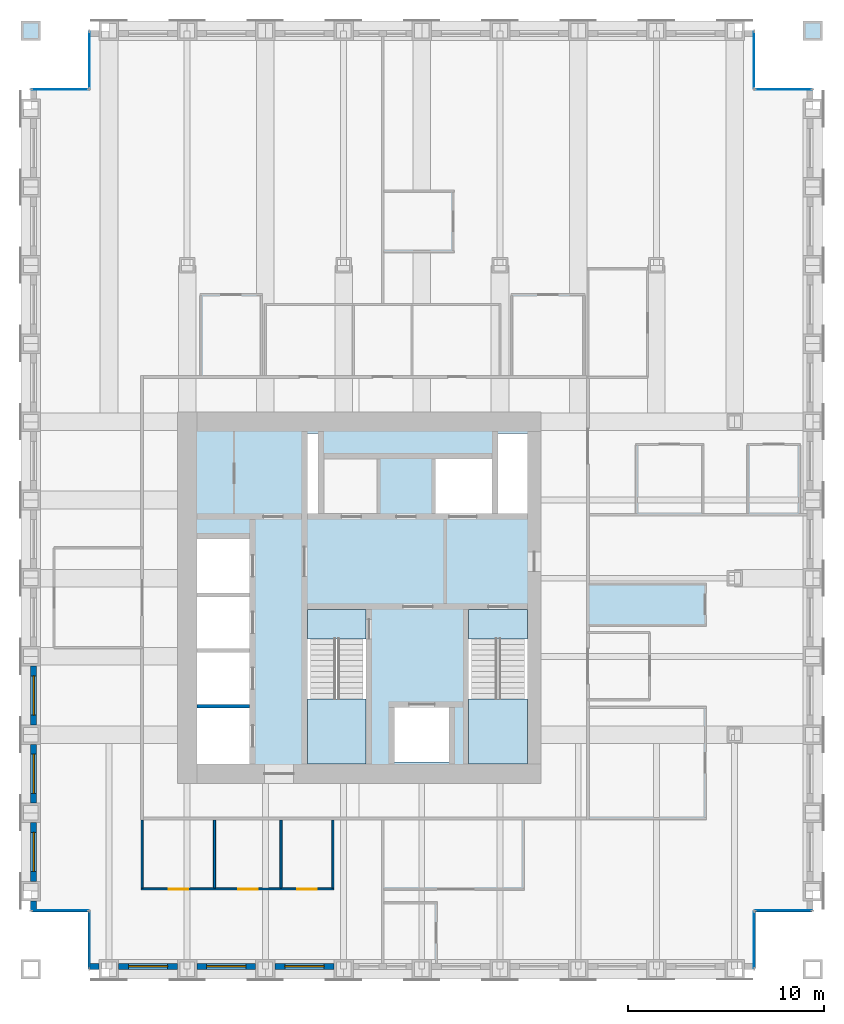
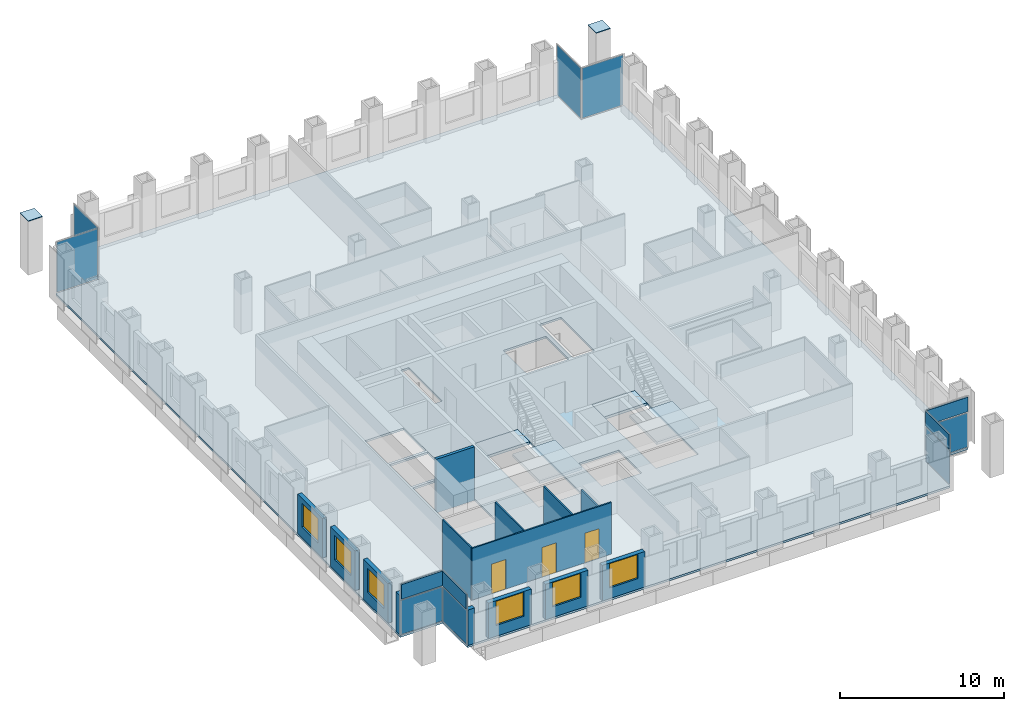
# One storey, part 8 of 14: 14 plates, 14 walls, 6 windows, 5 slabs, 3 doors, 9 openings, 14 elements without a shape of their own.
"""IFC4 building model written with IfcOpenShell, lengths in metres."""

import ifcopenshell
import ifcopenshell.guid

model = None  # the IFC model being written
_history = None  # IfcOwnerHistory: only IFC2X3 demands one
_inside = {}  # id of a spatial element -> (the spatial element, [elements in it])
_under = {}  # id of a project, library or spatial element -> (it, [spatial elements below it])
_declared = {}  # id of a project -> (the project, [libraries it declares])
_typed = {}  # id of a type object -> (the type object, [elements of that type])
_made_of = {}  # id of a material, layer set ... -> (it, [elements and type objects made of it])


def new_model(schema):
    """Start an empty IFC model of exactly this schema.

    Asked for "IFC4X3", IfcOpenShell would pick the latest addendum, in which some entities
    have other attributes; the version numbers below select the first issue.
    IFC2X3 requires an IfcOwnerHistory on every rooted entity: one is made here for all.
    """
    global model, _history
    if schema == "IFC4X3":
        model = ifcopenshell.file(schema_version=(4, 3, 0, 0))
    else:
        model = ifcopenshell.file(schema=schema)
    _inside.clear()
    _under.clear()
    _declared.clear()
    _typed.clear()
    _made_of.clear()
    _history = None
    if model.schema == "IFC2X3":
        org = make("IfcOrganization", Name="unknown")
        user = make(
            "IfcPersonAndOrganization",
            ThePerson=make("IfcPerson", FamilyName="unknown"),
            TheOrganization=org,
        )
        app = make(
            "IfcApplication",
            ApplicationDeveloper=org,
            Version="unknown",
            ApplicationFullName="unknown",
            ApplicationIdentifier="unknown",
        )
        _history = make(
            "IfcOwnerHistory",
            OwningUser=user,
            OwningApplication=app,
            ChangeAction="ADDED",
            CreationDate=0,
        )
    return model


def make(cls, **values):
    """One entity of the class cls with the attributes given. An attribute that is None is left unset."""
    return model.create_entity(
        cls, **{name: value for name, value in values.items() if value is not None}
    )


def rooted(cls, **values):
    """An entity with a GlobalId (a new one), such as an element, a storey or a relation."""
    return make(cls, GlobalId=ifcopenshell.guid.new(), OwnerHistory=_history, **values)


def si_unit(unit_type, name, prefix=None):
    """IfcSIUnit, for example si_unit("LENGTHUNIT", "METRE", prefix="MILLI")."""
    return make("IfcSIUnit", UnitType=unit_type, Prefix=prefix, Name=name)


def assignment(units):
    """IfcUnitAssignment: the units of a project."""
    return None if units is None else make("IfcUnitAssignment", Units=units)


def point(xyz):
    """IfcCartesianPoint."""
    return None if xyz is None else make("IfcCartesianPoint", Coordinates=xyz)


def direction(xyz):
    """IfcDirection."""
    return None if xyz is None else make("IfcDirection", DirectionRatios=xyz)


def frame(location, z_axis=None, x_axis=None):
    """IfcAxis2Placement3D, a coordinate frame: its origin and axes. An axis left out is left unset."""
    return make(
        "IfcAxis2Placement3D",
        Location=point(location),
        Axis=direction(z_axis),
        RefDirection=direction(x_axis),
    )


def frame_2d(location, x_axis=None):
    """IfcAxis2Placement2D, a coordinate frame in the plane: its origin and x axis."""
    return make(
        "IfcAxis2Placement2D", Location=point(location), RefDirection=direction(x_axis)
    )


def origin():
    """The frame at (0, 0, 0) with its axes left unset."""
    return frame((0.0, 0.0, 0.0))


def origin_2d():
    """The frame at (0, 0) in the plane with its x axis left unset."""
    return frame_2d((0.0, 0.0))


def place(relative_to, where):
    """IfcLocalPlacement: puts the frame where relative to a parent placement (None: the world)."""
    return make(
        "IfcLocalPlacement", PlacementRelTo=relative_to, RelativePlacement=where
    )


def context(
    kind, dimensions, precision=None, world=None, true_north=None, identifier=None
):
    """IfcGeometricRepresentationContext, for example the 3D "Model" context."""
    return make(
        "IfcGeometricRepresentationContext",
        ContextIdentifier=identifier,
        ContextType=kind,
        CoordinateSpaceDimension=dimensions,
        Precision=precision,
        WorldCoordinateSystem=world,
        TrueNorth=true_north,
    )


def subcontext(parent, identifier, kind, view, scale=None):
    """IfcGeometricRepresentationSubContext, for example "Body" below "Model"."""
    return make(
        "IfcGeometricRepresentationSubContext",
        ContextIdentifier=identifier,
        ContextType=kind,
        ParentContext=parent,
        TargetScale=scale,
        TargetView=view,
    )


def project(units=None, contexts=None):
    """IfcProject with its units and contexts."""
    return rooted(
        "IfcProject",
        Name="project",
        RepresentationContexts=contexts,
        UnitsInContext=assignment(units),
    )


def spatial(cls, under=None, at=None, **own):
    """A site, building, storey or space (cls), placed at a placement, below another one or the project."""
    s = rooted(cls, ObjectPlacement=at, **own)
    if under is not None:
        _under.setdefault(under.id(), (under, []))[1].append(s)
    return s


def polyline(points):
    """IfcPolyline through the points."""
    return make("IfcPolyline", Points=[point(p) for p in points])


def profile(cls, at=None, kind="AREA", **sizes):
    """A parametric profile (cls). Its sizes go by their IFC names, for example OverallWidth=200.0."""
    return make(cls, ProfileType=kind, Position=at, **sizes)


def rectangle(**sizes):
    """IfcRectangleProfileDef."""
    return profile("IfcRectangleProfileDef", **sizes)


def outline(outer, holes=None, kind="AREA"):
    """IfcArbitraryClosedProfileDef: a profile drawn as a closed curve; with holes, ...WithVoids."""
    if holes is None:
        return make("IfcArbitraryClosedProfileDef", ProfileType=kind, OuterCurve=outer)
    return make(
        "IfcArbitraryProfileDefWithVoids",
        ProfileType=kind,
        OuterCurve=outer,
        InnerCurves=holes,
    )


def extrude(swept, where, along, depth):
    """IfcExtrudedAreaSolid: the profile swept, set in the frame where, extruded along a direction by depth."""
    return make(
        "IfcExtrudedAreaSolid",
        SweptArea=swept,
        Position=where,
        ExtrudedDirection=direction(along),
        Depth=depth,
    )


def shape(context_of_items, identifier, shape_type, items):
    """IfcShapeRepresentation: the items that make up one representation, for example the "Body"."""
    return make(
        "IfcShapeRepresentation",
        ContextOfItems=context_of_items,
        RepresentationIdentifier=identifier,
        RepresentationType=shape_type,
        Items=items,
    )


def material(Name=None, Category=None):
    """IfcMaterial."""
    return make("IfcMaterial", Name=Name, Category=Category)


def layer(
    of_material, thickness, ventilated=None, Name=None, Category=None, Priority=None
):
    """IfcMaterialLayer: one layer of a wall or slab, of a material (None: an air gap)."""
    return make(
        "IfcMaterialLayer",
        Material=of_material,
        LayerThickness=thickness,
        IsVentilated=ventilated,
        Name=Name,
        Category=Category,
        Priority=Priority,
    )


def layer_set(layers, Name=None):
    """IfcMaterialLayerSet."""
    return make("IfcMaterialLayerSet", MaterialLayers=layers, LayerSetName=Name)


def made_of(thing, what):
    """Note that an element or type object is made of a material, layer set ...; save() writes the relation."""
    if what is not None:
        _made_of.setdefault(what.id(), (what, []))[1].append(thing)
    return thing


def type_object(cls, material=None, **own):
    """A type object (cls), such as IfcWallType, which elements share."""
    return made_of(rooted(cls, **own), material)


def element(
    cls,
    number,
    at=None,
    inside=None,
    cuts=None,
    type_object=None,
    material=None,
    context=None,
    identifier="Body",
    shape_type=None,
    held_by="IfcProductDefinitionShape",
    body=None,
    shapes=None,
    **own,
):
    """One element of the class cls, such as IfcWall. Its Tag is "e" and its number.

    at: its placement. inside: the storey or other place that contains it. cuts: it is an
    opening in that element (IfcRelVoidsElement). A single representation is given by context,
    identifier, shape_type and body (its items); several are given by shapes. held_by: the class
    of the entity that holds the representations. save() writes the other relations.
    """
    e = rooted(cls, Tag="e%d" % number, ObjectPlacement=at, **own)
    if body is not None:
        shapes = [shape(context, identifier, shape_type, body)]
    if shapes is not None:
        e.Representation = make(held_by, Representations=shapes)
    if inside is not None:
        _inside.setdefault(inside.id(), (inside, []))[1].append(e)
    if cuts is not None:
        rooted(
            "IfcRelVoidsElement", RelatingBuildingElement=cuts, RelatedOpeningElement=e
        )
    if type_object is not None:
        _typed.setdefault(type_object.id(), (type_object, []))[1].append(e)
    return made_of(e, material)


def fill(opening, filler):
    """IfcRelFillsElement: the door or window that sits in an opening."""
    return rooted(
        "IfcRelFillsElement",
        RelatingOpeningElement=opening,
        RelatedBuildingElement=filler,
    )


def aggregate(whole, parts):
    """IfcRelAggregates: a whole, such as a stair, and the parts it consists of."""
    return rooted("IfcRelAggregates", RelatingObject=whole, RelatedObjects=parts)


def save(model, path):
    """Write the relations noted so far, then the file.

    IfcRelAggregates (storeys below a building ...), IfcRelContainedInSpatialStructure (elements
    in a storey), IfcRelDefinesByType, IfcRelAssociatesMaterial and IfcRelDeclares: one each for
    every whole, place, type object, material and project.
    """
    for whole, parts in _under.values():
        aggregate(whole, parts)
    for where, things in _inside.values():
        rooted(
            "IfcRelContainedInSpatialStructure",
            RelatedElements=things,
            RelatingStructure=where,
        )
    for kind, things in _typed.values():
        rooted("IfcRelDefinesByType", RelatedObjects=things, RelatingType=kind)
    for what, things in _made_of.values():
        rooted("IfcRelAssociatesMaterial", RelatedObjects=things, RelatingMaterial=what)
    for by, libraries in _declared.values():
        rooted("IfcRelDeclares", RelatingContext=by, RelatedDefinitions=libraries)
    model.write(path)


model = new_model("IFC4")

# Units and contexts
model_context = context("Model", 3, precision=1e-05, world=origin(), true_north=direction((0.0, 1.0)))
body_context = subcontext(model_context, "Body", "Model", "MODEL_VIEW")
ifc_project = project(units=[si_unit("LENGTHUNIT", "METRE"), si_unit("AREAUNIT", "SQUARE_METRE"), si_unit("VOLUMEUNIT", "CUBIC_METRE"), si_unit("PLANEANGLEUNIT", "RADIAN"), si_unit("MASSUNIT", "GRAM", prefix="KILO")], contexts=[model_context])

# Site, building, storey
site_placement = place(None, origin())
site = spatial("IfcSite", under=ifc_project, at=site_placement, CompositionType="ELEMENT")
building_placement = place(site_placement, origin())
building = spatial("IfcBuilding", under=site, at=building_placement, Name="Rimbunsela Tower", CompositionType="ELEMENT")
storey_placement = place(building_placement, frame((0.0, 0.0, 234.199951171875)))
storey = spatial("IfcBuildingStorey", under=building, at=storey_placement, Name="L56", CompositionType="ELEMENT", Elevation=234.199951171875)

# Plates
ifc_material_1 = material(Name="Steel BJ 55 (fy 410 MPa)", Category="steel")
ifc_layer_1 = layer(ifc_material_1, 0.050048828125)
ifc_layer_set_1 = layer_set([ifc_layer_1], Name="End cap plate 50")
plate_type_1 = type_object("IfcPlateType", Name="End cap plate 50", PredefinedType="SHEET", material=ifc_layer_set_1)
for number, where, z_axis, x_axis, name in (
    (1, (10.0, 56.0, 4.0), (0.0, 0.0, 1.0), (1.0, 0.0, 0.0), "End cap Column C8 5/R L56"),
    (2, (50.0, 56.0, 4.0), (0.0, 0.0, 1.0), (1.0, 0.0, 0.0), "End cap Column C8 15/R L56"),
):
    element("IfcPlate", number, at=place(storey_placement, frame(where, z_axis=z_axis, x_axis=x_axis)), inside=storey, type_object=plate_type_1, Name=name, PredefinedType="SHEET", context=body_context, shape_type="SweptSolid", body=[
        extrude(rectangle(XDim=1.0, YDim=1.0, at=origin_2d()), origin(), (0.0, 0.0, 1.0), 0.050048828125),
    ])

# Slab
ifc_material_2 = material(Name="Concrete fc' 35 MPa", Category="concrete")
ifc_layer_2 = layer(ifc_material_2, 0.14990234375)
ifc_layer_set_2 = layer_set([ifc_layer_2], Name="Floor slab 150")
slab_type_1 = type_object("IfcSlabType", Name="Floor slab 150", PredefinedType="FLOOR", material=ifc_layer_set_2)
slab_1_placement = place(storey_placement, frame((0.0, 0.0, -0.14990234375)))
element("IfcSlab", 3, at=slab_1_placement, inside=storey, type_object=slab_type_1, Name="Floor slab L56", PredefinedType="FLOOR", context=body_context, shape_type="SweptSolid", body=[
    extrude(outline(polyline([(13.0, 8.0), (47.0, 8.0), (47.0, 11.0), (50.0, 11.0), (50.0, 53.0), (47.0, 53.0), (47.0, 56.0), (13.0, 56.0), (13.0, 53.0), (10.0, 53.0), (10.0, 11.0), (13.0, 11.0), (13.0, 8.0)]), holes=[polyline([(21.199951171875, 21.35009765625), (18.5, 21.35009765625), (18.5, 18.5), (21.199951171875, 18.5), (21.199951171875, 21.35009765625)]), polyline([(21.199951171875, 21.550048828125), (21.199951171875, 24.199951171875), (18.5, 24.199951171875), (18.5, 21.550048828125), (21.199951171875, 21.550048828125)]), polyline([(21.199951171875, 27.050048828125), (18.5, 27.050048828125), (18.5, 24.39990234375), (21.199951171875, 24.39990234375), (21.199951171875, 27.050048828125)]), polyline([(21.199951171875, 30.0), (18.5, 30.0), (18.5, 27.25), (21.199951171875, 27.25), (21.199951171875, 30.0)]), polyline([(27.14990234375, 26.39990234375), (24.14990234375, 26.39990234375), (24.14990234375, 18.60009765625), (27.14990234375, 18.60009765625), (27.14990234375, 26.39990234375)]), polyline([(24.699951171875, 31.300048828125), (24.699951171875, 35.39990234375), (24.14990234375, 35.39990234375), (24.14990234375, 31.300048828125), (24.699951171875, 31.300048828125)]), polyline([(31.39990234375, 21.39990234375), (28.60009765625, 21.39990234375), (28.60009765625, 18.60009765625), (31.39990234375, 18.60009765625), (31.39990234375, 21.39990234375)]), polyline([(33.60009765625, 34.10009765625), (30.60009765625, 34.10009765625), (30.60009765625, 31.300048828125), (33.60009765625, 31.300048828125), (33.60009765625, 34.10009765625)]), polyline([(35.39990234375, 18.60009765625), (35.39990234375, 26.39990234375), (32.39990234375, 26.39990234375), (32.39990234375, 18.60009765625), (35.39990234375, 18.60009765625)]), polyline([(35.39990234375, 31.300048828125), (35.39990234375, 35.39990234375), (33.89990234375, 35.39990234375), (33.89990234375, 31.300048828125), (35.39990234375, 31.300048828125)])]), origin(), (0.0, 0.0, 1.0), 0.14990234375),
])

# Curtain wall, plate
ifc_material_3 = material(Name="Aluminium curtain wall", Category="aluminium")
curtain_wall_type_1 = type_object("IfcCurtainWallType", Name="Corner glazing", PredefinedType="USERDEFINED", material=ifc_material_3)
curtain_wall_1_placement = place(storey_placement, origin())
curtain_wall_1 = element("IfcCurtainWall", 4, at=curtain_wall_1_placement, inside=storey, type_object=curtain_wall_type_1, Name="Corner glazing L56", ObjectType="CORNER GLAZING", PredefinedType="USERDEFINED")
ifc_material_4 = material(Name="Clear double glazing", Category="glass")
ifc_layer_3 = layer(ifc_material_4, 0.028076171875)
ifc_layer_set_3 = layer_set([ifc_layer_3], Name="Glazed panel clear")
plate_type_2 = type_object("IfcPlateType", Name="Glazed panel clear", PredefinedType="CURTAIN_PANEL", material=ifc_layer_set_3)
plate_1_placement = place(storey_placement, frame((47.0, 9.5, 0.06005859375), z_axis=(0.0, 0.0, 1.0), x_axis=(0.0, 1.0, 0.0)))
plate_1 = element("IfcPlate", 5, at=plate_1_placement, type_object=plate_type_2, Name="CW5 panel 1.1", PredefinedType="CURTAIN_PANEL", context=body_context, shape_type="SweptSolid", body=[
    extrude(rectangle(XDim=2.8798828125, YDim=0.028076171875, at=origin_2d()), origin(), (0.0, 0.0, 1.0), 2.530029296875),
])
aggregate(curtain_wall_1, [plate_1])

curtain_wall_2_placement = place(storey_placement, origin())
curtain_wall_2 = element("IfcCurtainWall", 6, at=curtain_wall_2_placement, inside=storey, type_object=curtain_wall_type_1, Name="Corner glazing L56", ObjectType="CORNER GLAZING", PredefinedType="USERDEFINED")
plate_2_placement = place(storey_placement, frame((48.5, 11.0, 0.06005859375), z_axis=(0.0, 0.0, 1.0), x_axis=(1.0, 0.0, 0.0)))
plate_2 = element("IfcPlate", 7, at=plate_2_placement, type_object=plate_type_2, Name="CW5 panel 1.1", PredefinedType="CURTAIN_PANEL", context=body_context, shape_type="SweptSolid", body=[
    extrude(rectangle(XDim=2.8798828125, YDim=0.028076171875, at=origin_2d()), origin(), (0.0, 0.0, 1.0), 2.530029296875),
])
aggregate(curtain_wall_2, [plate_2])

curtain_wall_3_placement = place(storey_placement, origin())
curtain_wall_3 = element("IfcCurtainWall", 8, at=curtain_wall_3_placement, inside=storey, type_object=curtain_wall_type_1, Name="Corner glazing L56", ObjectType="CORNER GLAZING", PredefinedType="USERDEFINED")
plate_3_placement = place(storey_placement, frame((48.5, 53.0, 0.06005859375), z_axis=(0.0, 0.0, 1.0), x_axis=(-1.0, 0.0, 0.0)))
plate_3 = element("IfcPlate", 9, at=plate_3_placement, type_object=plate_type_2, Name="CW5 panel 1.1", PredefinedType="CURTAIN_PANEL", context=body_context, shape_type="SweptSolid", body=[
    extrude(rectangle(XDim=2.8798828125, YDim=0.028076171875, at=origin_2d()), origin(), (0.0, 0.0, 1.0), 3.72998046875),
])
aggregate(curtain_wall_3, [plate_3])

curtain_wall_4_placement = place(storey_placement, origin())
curtain_wall_4 = element("IfcCurtainWall", 10, at=curtain_wall_4_placement, inside=storey, type_object=curtain_wall_type_1, Name="Corner glazing L56", ObjectType="CORNER GLAZING", PredefinedType="USERDEFINED")
plate_4_placement = place(storey_placement, frame((47.0, 54.5, 0.06005859375), z_axis=(0.0, 0.0, 1.0), x_axis=(0.0, 1.0, 0.0)))
plate_4 = element("IfcPlate", 11, at=plate_4_placement, type_object=plate_type_2, Name="CW5 panel 1.1", PredefinedType="CURTAIN_PANEL", context=body_context, shape_type="SweptSolid", body=[
    extrude(rectangle(XDim=2.8798828125, YDim=0.028076171875, at=origin_2d()), origin(), (0.0, 0.0, 1.0), 3.72998046875),
])
aggregate(curtain_wall_4, [plate_4])

curtain_wall_5_placement = place(storey_placement, origin())
curtain_wall_5 = element("IfcCurtainWall", 12, at=curtain_wall_5_placement, inside=storey, type_object=curtain_wall_type_1, Name="Corner glazing L56", ObjectType="CORNER GLAZING", PredefinedType="USERDEFINED")
plate_5_placement = place(storey_placement, frame((13.0, 54.5, 0.06005859375), z_axis=(0.0, 0.0, 1.0), x_axis=(0.0, -1.0, 0.0)))
plate_5 = element("IfcPlate", 13, at=plate_5_placement, type_object=plate_type_2, Name="CW5 panel 1.1", PredefinedType="CURTAIN_PANEL", context=body_context, shape_type="SweptSolid", body=[
    extrude(rectangle(XDim=2.8798828125, YDim=0.028076171875, at=origin_2d()), origin(), (0.0, 0.0, 1.0), 3.72998046875),
])
aggregate(curtain_wall_5, [plate_5])

curtain_wall_6_placement = place(storey_placement, origin())
curtain_wall_6 = element("IfcCurtainWall", 14, at=curtain_wall_6_placement, inside=storey, type_object=curtain_wall_type_1, Name="Corner glazing L56", ObjectType="CORNER GLAZING", PredefinedType="USERDEFINED")
plate_6_placement = place(storey_placement, frame((11.5, 53.0, 0.06005859375), z_axis=(0.0, 0.0, 1.0), x_axis=(-1.0, 0.0, 0.0)))
plate_6 = element("IfcPlate", 15, at=plate_6_placement, type_object=plate_type_2, Name="CW5 panel 1.1", PredefinedType="CURTAIN_PANEL", context=body_context, shape_type="SweptSolid", body=[
    extrude(rectangle(XDim=2.8798828125, YDim=0.028076171875, at=origin_2d()), origin(), (0.0, 0.0, 1.0), 3.72998046875),
])
aggregate(curtain_wall_6, [plate_6])

curtain_wall_7_placement = place(storey_placement, origin())
curtain_wall_7 = element("IfcCurtainWall", 16, at=curtain_wall_7_placement, inside=storey, type_object=curtain_wall_type_1, Name="Corner glazing L56", ObjectType="CORNER GLAZING", PredefinedType="USERDEFINED")
plate_7_placement = place(storey_placement, frame((11.5, 11.0, 0.06005859375), z_axis=(0.0, 0.0, 1.0), x_axis=(1.0, 0.0, 0.0)))
plate_7 = element("IfcPlate", 17, at=plate_7_placement, type_object=plate_type_2, Name="CW5 panel 1.1", PredefinedType="CURTAIN_PANEL", context=body_context, shape_type="SweptSolid", body=[
    extrude(rectangle(XDim=2.8798828125, YDim=0.028076171875, at=origin_2d()), origin(), (0.0, 0.0, 1.0), 2.530029296875),
])
aggregate(curtain_wall_7, [plate_7])

curtain_wall_8_placement = place(storey_placement, origin())
curtain_wall_8 = element("IfcCurtainWall", 18, at=curtain_wall_8_placement, inside=storey, type_object=curtain_wall_type_1, Name="Corner glazing L56", ObjectType="CORNER GLAZING", PredefinedType="USERDEFINED")
plate_8_placement = place(storey_placement, frame((13.0, 9.5, 0.06005859375), z_axis=(0.0, 0.0, 1.0), x_axis=(0.0, -1.0, 0.0)))
plate_8 = element("IfcPlate", 19, at=plate_8_placement, type_object=plate_type_2, Name="CW5 panel 1.1", PredefinedType="CURTAIN_PANEL", context=body_context, shape_type="SweptSolid", body=[
    extrude(rectangle(XDim=2.8798828125, YDim=0.028076171875, at=origin_2d()), origin(), (0.0, 0.0, 1.0), 2.530029296875),
])
aggregate(curtain_wall_8, [plate_8])

ifc_material_5 = material(Name="Aluminium curtain wall", Category="aluminium")
curtain_wall_type_2 = type_object("IfcCurtainWallType", Name="Spandrel wall", PredefinedType="USERDEFINED", material=ifc_material_5)
curtain_wall_9_placement = place(storey_placement, origin())
curtain_wall_9 = element("IfcCurtainWall", 20, at=curtain_wall_9_placement, inside=storey, type_object=curtain_wall_type_2, Name="Spandrel wall L56", ObjectType="SPANDREL WALL", PredefinedType="USERDEFINED")
ifc_material_6 = material(Name="Insulated aluminium spandrel panel", Category="aluminium")
ifc_layer_4 = layer(ifc_material_6, 0.10009765625)
ifc_layer_set_4 = layer_set([ifc_layer_4], Name="Insulated panel 100")
plate_type_3 = type_object("IfcPlateType", Name="Insulated panel 100", PredefinedType="CURTAIN_PANEL", material=ifc_layer_set_4)
plate_9_placement = place(storey_placement, frame((47.0, 9.5, 2.7099609375), z_axis=(0.0, 0.0, 1.0), x_axis=(0.0, 1.0, 0.0)))
plate_9 = element("IfcPlate", 21, at=plate_9_placement, type_object=plate_type_3, Name="CW7 panel 1.1", PredefinedType="CURTAIN_PANEL", context=body_context, shape_type="SweptSolid", body=[
    extrude(rectangle(XDim=2.8798828125, YDim=0.10009765625, at=origin_2d()), origin(), (0.0, 0.0, 1.0), 1.080078125),
])
aggregate(curtain_wall_9, [plate_9])

curtain_wall_10_placement = place(storey_placement, origin())
curtain_wall_10 = element("IfcCurtainWall", 22, at=curtain_wall_10_placement, inside=storey, type_object=curtain_wall_type_2, Name="Spandrel wall L56", ObjectType="SPANDREL WALL", PredefinedType="USERDEFINED")
plate_10_placement = place(storey_placement, frame((48.5, 11.0, 2.7099609375), z_axis=(0.0, 0.0, 1.0), x_axis=(1.0, 0.0, 0.0)))
plate_10 = element("IfcPlate", 23, at=plate_10_placement, type_object=plate_type_3, Name="CW7 panel 1.1", PredefinedType="CURTAIN_PANEL", context=body_context, shape_type="SweptSolid", body=[
    extrude(rectangle(XDim=2.8798828125, YDim=0.10009765625, at=origin_2d()), origin(), (0.0, 0.0, 1.0), 1.080078125),
])
aggregate(curtain_wall_10, [plate_10])

curtain_wall_11_placement = place(storey_placement, origin())
curtain_wall_11 = element("IfcCurtainWall", 24, at=curtain_wall_11_placement, inside=storey, type_object=curtain_wall_type_2, Name="Spandrel wall L56", ObjectType="SPANDREL WALL", PredefinedType="USERDEFINED")
plate_11_placement = place(storey_placement, frame((11.5, 11.0, 2.7099609375), z_axis=(0.0, 0.0, 1.0), x_axis=(1.0, 0.0, 0.0)))
plate_11 = element("IfcPlate", 25, at=plate_11_placement, type_object=plate_type_3, Name="CW7 panel 1.1", PredefinedType="CURTAIN_PANEL", context=body_context, shape_type="SweptSolid", body=[
    extrude(rectangle(XDim=2.8798828125, YDim=0.10009765625, at=origin_2d()), origin(), (0.0, 0.0, 1.0), 1.080078125),
])
aggregate(curtain_wall_11, [plate_11])

curtain_wall_12_placement = place(storey_placement, origin())
curtain_wall_12 = element("IfcCurtainWall", 26, at=curtain_wall_12_placement, inside=storey, type_object=curtain_wall_type_2, Name="Spandrel wall L56", ObjectType="SPANDREL WALL", PredefinedType="USERDEFINED")
plate_12_placement = place(storey_placement, frame((13.0, 9.5, 2.7099609375), z_axis=(0.0, 0.0, 1.0), x_axis=(0.0, -1.0, 0.0)))
plate_12 = element("IfcPlate", 27, at=plate_12_placement, type_object=plate_type_3, Name="CW7 panel 1.1", PredefinedType="CURTAIN_PANEL", context=body_context, shape_type="SweptSolid", body=[
    extrude(rectangle(XDim=2.8798828125, YDim=0.10009765625, at=origin_2d()), origin(), (0.0, 0.0, 1.0), 1.080078125),
])
aggregate(curtain_wall_12, [plate_12])

# Stair, slabs
ifc_material_7 = material(Name="Concrete fc' 35 MPa", Category="concrete")
stair_type = type_object("IfcStairType", Name="Exit stair 24 risers", PredefinedType="HALF_TURN_STAIR", material=ifc_material_7)
stair_1_placement = place(storey_placement, origin())
stair_1 = element("IfcStair", 28, at=stair_1_placement, inside=storey, type_object=stair_type, Name="Exit stair A L56", PredefinedType="HALF_TURN_STAIR")
ifc_material_8 = material(Name="Concrete fc' 35 MPa", Category="concrete")
ifc_layer_5 = layer(ifc_material_8, 0.199951171875)
ifc_layer_set_5 = layer_set([ifc_layer_5], Name="Stair landing 200")
slab_type_2 = type_object("IfcSlabType", Name="Stair landing 200", PredefinedType="LANDING", material=ifc_layer_set_5)
slab_2_placement = place(storey_placement, frame((0.0, 0.0, -0.199951171875)))
slab_2 = element("IfcSlab", 29, at=slab_2_placement, type_object=slab_type_2, Name="ST-A landing 1", PredefinedType="LANDING", context=body_context, shape_type="SweptSolid", body=[
    extrude(outline(polyline([(24.14990234375, 24.89990234375), (27.14990234375, 24.89990234375), (27.14990234375, 26.39990234375), (24.14990234375, 26.39990234375), (24.14990234375, 24.89990234375)])), origin(), (0.0, 0.0, 1.0), 0.199951171875),
])
slab_3_placement = place(storey_placement, frame((0.0, 0.0, 1.800048828125)))
slab_3 = element("IfcSlab", 30, at=slab_3_placement, type_object=slab_type_2, Name="ST-A landing 2", PredefinedType="LANDING", context=body_context, shape_type="SweptSolid", body=[
    extrude(outline(polyline([(24.14990234375, 18.5), (27.14990234375, 18.5), (27.14990234375, 21.820068359375), (24.14990234375, 21.820068359375), (24.14990234375, 18.5)])), origin(), (0.0, 0.0, 1.0), 0.199951171875),
])
aggregate(stair_1, [slab_2, slab_3])

stair_2_placement = place(storey_placement, origin())
stair_2 = element("IfcStair", 31, at=stair_2_placement, inside=storey, type_object=stair_type, Name="Exit stair B L56", PredefinedType="HALF_TURN_STAIR")
slab_4_placement = place(storey_placement, frame((0.0, 0.0, -0.199951171875)))
slab_4 = element("IfcSlab", 32, at=slab_4_placement, type_object=slab_type_2, Name="ST-B landing 1", PredefinedType="LANDING", context=body_context, shape_type="SweptSolid", body=[
    extrude(outline(polyline([(32.39990234375, 24.89990234375), (35.39990234375, 24.89990234375), (35.39990234375, 26.39990234375), (32.39990234375, 26.39990234375), (32.39990234375, 24.89990234375)])), origin(), (0.0, 0.0, 1.0), 0.199951171875),
])
slab_5_placement = place(storey_placement, frame((0.0, 0.0, 1.800048828125)))
slab_5 = element("IfcSlab", 33, at=slab_5_placement, type_object=slab_type_2, Name="ST-B landing 2", PredefinedType="LANDING", context=body_context, shape_type="SweptSolid", body=[
    extrude(outline(polyline([(32.39990234375, 18.5), (35.39990234375, 18.5), (35.39990234375, 21.820068359375), (32.39990234375, 21.820068359375), (32.39990234375, 18.5)])), origin(), (0.0, 0.0, 1.0), 0.199951171875),
])
aggregate(stair_2, [slab_4, slab_5])

# Wall
ifc_material_9 = material(Name="Concrete blockwork", Category="masonry")
ifc_layer_6 = layer(ifc_material_9, 0.199951171875)
ifc_layer_set_6 = layer_set([ifc_layer_6], Name="Lift shaft wall 200")
wall_type_1 = type_object("IfcWallType", Name="Lift shaft wall 200", PredefinedType="SOLIDWALL", material=ifc_layer_set_6)
wall_1_placement = place(storey_placement, frame((18.5, 21.449951171875, -0.14990234375), z_axis=(0.0, 0.0, 1.0), x_axis=(1.0, 0.0, 0.0)))
element("IfcWall", 34, at=wall_1_placement, inside=storey, type_object=wall_type_1, Name="Lift shaft separation", PredefinedType="SOLIDWALL", context=body_context, shape_type="SweptSolid", body=[
    extrude(rectangle(XDim=2.699951171875, YDim=0.199951171875, at=frame_2d((1.35009765625, 0.0))), origin(), (0.0, 0.0, 1.0), 4.0),
])

# Wall, openings, doors
ifc_material_10 = material(Name="Gypsum board on steel studs", Category="steel")
ifc_layer_7 = layer(ifc_material_10, 0.10009765625)
ifc_layer_set_7 = layer_set([ifc_layer_7], Name="Office partition 100")
wall_type_2 = type_object("IfcWallType", Name="Office partition 100", PredefinedType="PARTITIONING", material=ifc_layer_set_7)
wall_2_placement = place(storey_placement, frame((15.64990234375, 12.10009765625, 0.0), z_axis=(0.0, 0.0, 1.0), x_axis=(1.0, 0.0, 0.0)))
wall_2 = element("IfcWall", 35, at=wall_2_placement, inside=storey, type_object=wall_type_2, Name="Office partition", PredefinedType="PARTITIONING", context=body_context, shape_type="SweptSolid", body=[
    extrude(rectangle(XDim=9.85009765625, YDim=0.10009765625, at=frame_2d((4.925048828125, 0.0))), origin(), (0.0, 0.0, 1.0), 3.85009765625),
])
opening_1_placement = place(wall_2_placement, frame((1.39990234375, 0.0, 0.0)))
opening_1 = element("IfcOpeningElement", 36, at=opening_1_placement, cuts=wall_2, Name="Opening D17", PredefinedType="OPENING", context=body_context, shape_type="SweptSolid", body=[
    extrude(rectangle(XDim=1.0, YDim=2.199951171875, at=frame_2d((0.5, 1.10009765625))), frame((0.0, 0.06005859375, 0.0), z_axis=(0.0, -1.0, 0.0), x_axis=(1.0, 0.0, 0.0)), (0.0, 0.0, 1.0), 0.1201171875),
])
opening_2_placement = place(wall_2_placement, frame((4.949951171875, 0.0, 0.0)))
opening_2 = element("IfcOpeningElement", 37, at=opening_2_placement, cuts=wall_2, Name="Opening D16", PredefinedType="OPENING", context=body_context, shape_type="SweptSolid", body=[
    extrude(rectangle(XDim=1.0, YDim=2.199951171875, at=frame_2d((0.5, 1.10009765625))), frame((0.0, 0.06005859375, 0.0), z_axis=(0.0, -1.0, 0.0), x_axis=(1.0, 0.0, 0.0)), (0.0, 0.0, 1.0), 0.1201171875),
])
opening_3_placement = place(wall_2_placement, frame((7.97509765625, 0.0, 0.0)))
opening_3 = element("IfcOpeningElement", 38, at=opening_3_placement, cuts=wall_2, Name="Opening D16", PredefinedType="OPENING", context=body_context, shape_type="SweptSolid", body=[
    extrude(rectangle(XDim=1.0, YDim=2.199951171875, at=frame_2d((0.5, 1.10009765625))), frame((0.0, 0.06005859375, 0.0), z_axis=(0.0, -1.0, 0.0), x_axis=(1.0, 0.0, 0.0)), (0.0, 0.0, 1.0), 0.1201171875),
])
ifc_material_11 = material(Name="Glazed aluminium door", Category="aluminium")
door_type_1 = type_object("IfcDoorType", Name="Meeting room door 1000 glazed", OperationType="SINGLE_SWING_RIGHT", PredefinedType="DOOR", material=ifc_material_11)
door_1_placement = place(opening_1_placement, origin())
door_1 = element("IfcDoor", 39, at=door_1_placement, inside=storey, type_object=door_type_1, Name="Meeting room door", OperationType="SINGLE_SWING_RIGHT", OverallHeight=2.199951171875, OverallWidth=1.0, PredefinedType="DOOR", context=body_context, shape_type="SweptSolid", body=[
    extrude(rectangle(XDim=1.0, YDim=2.199951171875, at=frame_2d((0.5, 1.10009765625))), frame((0.0, 0.02490234375, 0.0), z_axis=(0.0, -1.0, 0.0), x_axis=(1.0, 0.0, 0.0)), (0.0, 0.0, 1.0), 0.050048828125),
])
fill(opening_1, door_1)
ifc_material_12 = material(Name="Timber door", Category="wood")
door_type_2 = type_object("IfcDoorType", Name="Office door 1000", OperationType="SINGLE_SWING_LEFT", PredefinedType="DOOR", material=ifc_material_12)
door_2_placement = place(opening_2_placement, origin())
door_2 = element("IfcDoor", 40, at=door_2_placement, inside=storey, type_object=door_type_2, Name="Office door", OperationType="SINGLE_SWING_LEFT", OverallHeight=2.199951171875, OverallWidth=1.0, PredefinedType="DOOR", context=body_context, shape_type="SweptSolid", body=[
    extrude(rectangle(XDim=1.0, YDim=2.199951171875, at=frame_2d((0.5, 1.10009765625))), frame((0.0, 0.02490234375, 0.0), z_axis=(0.0, -1.0, 0.0), x_axis=(1.0, 0.0, 0.0)), (0.0, 0.0, 1.0), 0.050048828125),
])
fill(opening_2, door_2)
door_3_placement = place(opening_3_placement, origin())
door_3 = element("IfcDoor", 41, at=door_3_placement, inside=storey, type_object=door_type_2, Name="Office door", OperationType="SINGLE_SWING_LEFT", OverallHeight=2.199951171875, OverallWidth=1.0, PredefinedType="DOOR", context=body_context, shape_type="SweptSolid", body=[
    extrude(rectangle(XDim=1.0, YDim=2.199951171875, at=frame_2d((0.5, 1.10009765625))), frame((0.0, 0.02490234375, 0.0), z_axis=(0.0, -1.0, 0.0), x_axis=(1.0, 0.0, 0.0)), (0.0, 0.0, 1.0), 0.050048828125),
])
fill(opening_3, door_3)

# Walls
for number, where, z_axis, x_axis, name in (
    (42, (15.699951171875, 12.14990234375, 0.0), (0.0, 0.0, 1.0), (0.0, 1.0, 0.0), "Office partition"),
    (43, (19.39990234375, 12.14990234375, 0.0), (0.0, 0.0, 1.0), (0.0, 1.0, 0.0), "Office partition"),
    (44, (22.800048828125, 12.14990234375, 0.0), (0.0, 0.0, 1.0), (0.0, 1.0, 0.0), "Office partition"),
):
    element("IfcWall", number, at=place(storey_placement, frame(where, z_axis=z_axis, x_axis=x_axis)), inside=storey, type_object=wall_type_2, Name=name, PredefinedType="PARTITIONING", context=body_context, shape_type="SweptSolid", body=[
        extrude(rectangle(XDim=3.47509765625, YDim=0.10009765625, at=frame_2d((1.737548828125, 0.0))), origin(), (0.0, 0.0, 1.0), 3.85009765625),
    ])
wall_3_placement = place(storey_placement, frame((25.449951171875, 12.14990234375, 0.0), z_axis=(0.0, 0.0, 1.0), x_axis=(0.0, 1.0, 0.0)))
element("IfcWall", 45, at=wall_3_placement, inside=storey, type_object=wall_type_2, Name="Office partition", PredefinedType="PARTITIONING", context=body_context, shape_type="SweptSolid", body=[
    extrude(rectangle(XDim=3.47509765625, YDim=0.10009765625, at=frame_2d((1.737548828125, 0.0))), origin(), (0.0, 0.0, 1.0), 2.650146484375),
])
ifc_material_13 = material(Name="Precast concrete fc' 35 MPa", Category="concrete")
ifc_layer_8 = layer(ifc_material_13, 0.300048828125)
ifc_layer_set_8 = layer_set([ifc_layer_8], Name="Precast concrete fc' 35 MPa")
wall_type_3 = type_object("IfcWallType", Name="Precast facade panel 300", PredefinedType="ELEMENTEDWALL", material=ifc_layer_set_8)
wall_4_placement = place(storey_placement, frame((13.030029296875, 8.14990234375, 0.0), z_axis=(0.0, 0.0, 1.0), x_axis=(1.0, 0.0, 0.0)))
element("IfcWall", 46, at=wall_4_placement, inside=storey, type_object=wall_type_3, Name="Facade panel S L56", PredefinedType="ELEMENTEDWALL", context=body_context, shape_type="SweptSolid", body=[
    extrude(rectangle(XDim=0.469970703125, YDim=0.300048828125, at=frame_2d((0.23486328125, 0.0))), origin(), (0.0, 0.0, 1.0), 2.650146484375),
])

# Wall, opening, window
wall_5_placement = place(storey_placement, frame((14.5, 8.14990234375, 0.0), z_axis=(0.0, 0.0, 1.0), x_axis=(1.0, 0.0, 0.0)))
wall_5 = element("IfcWall", 47, at=wall_5_placement, inside=storey, type_object=wall_type_3, Name="Facade panel S L56", PredefinedType="ELEMENTEDWALL", context=body_context, shape_type="SweptSolid", body=[
    extrude(rectangle(XDim=3.0, YDim=0.300048828125, at=frame_2d((1.5, 0.0))), origin(), (0.0, 0.0, 1.0), 2.650146484375),
])
opening_4_placement = place(wall_5_placement, frame((0.5, 0.0, 0.800048828125)))
opening_4 = element("IfcOpeningElement", 48, at=opening_4_placement, cuts=wall_5, Name="Opening W7", PredefinedType="OPENING", context=body_context, shape_type="SweptSolid", body=[
    extrude(rectangle(XDim=2.0, YDim=1.800048828125, at=frame_2d((1.0, 0.89990234375))), frame((0.0, 0.159912109375, 0.0), z_axis=(0.0, -1.0, 0.0), x_axis=(1.0, 0.0, 0.0)), (0.0, 0.0, 1.0), 0.320068359375),
])
ifc_material_14 = material(Name="Clear glass in aluminium frame", Category="aluminium")
window_type = type_object("IfcWindowType", Name="Window W7 2000x1800", PartitioningType="DOUBLE_PANEL_VERTICAL", PredefinedType="WINDOW", material=ifc_material_14)
window_1_placement = place(opening_4_placement, origin())
window_1 = element("IfcWindow", 49, at=window_1_placement, inside=storey, type_object=window_type, Name="Window L56", OverallHeight=1.800048828125, OverallWidth=2.0, PartitioningType="SINGLE_PANEL", PredefinedType="WINDOW", context=body_context, shape_type="SweptSolid", body=[
    extrude(rectangle(XDim=2.0, YDim=1.800048828125, at=frame_2d((1.0, 0.89990234375))), frame((0.0, 0.030029296875, 0.0), z_axis=(0.0, -1.0, 0.0), x_axis=(1.0, 0.0, 0.0)), (0.0, 0.0, 1.0), 0.06005859375),
])
fill(opening_4, window_1)

wall_6_placement = place(storey_placement, frame((18.5, 8.14990234375, 0.0), z_axis=(0.0, 0.0, 1.0), x_axis=(1.0, 0.0, 0.0)))
wall_6 = element("IfcWall", 50, at=wall_6_placement, inside=storey, type_object=wall_type_3, Name="Facade panel S L56", PredefinedType="ELEMENTEDWALL", context=body_context, shape_type="SweptSolid", body=[
    extrude(rectangle(XDim=3.0, YDim=0.300048828125, at=frame_2d((1.5, 0.0))), origin(), (0.0, 0.0, 1.0), 2.650146484375),
])
opening_5_placement = place(wall_6_placement, frame((0.5, 0.0, 0.800048828125)))
opening_5 = element("IfcOpeningElement", 51, at=opening_5_placement, cuts=wall_6, Name="Opening W7", PredefinedType="OPENING", context=body_context, shape_type="SweptSolid", body=[
    extrude(rectangle(XDim=2.0, YDim=1.800048828125, at=frame_2d((1.0, 0.89990234375))), frame((0.0, 0.159912109375, 0.0), z_axis=(0.0, -1.0, 0.0), x_axis=(1.0, 0.0, 0.0)), (0.0, 0.0, 1.0), 0.320068359375),
])
window_2_placement = place(opening_5_placement, origin())
window_2 = element("IfcWindow", 52, at=window_2_placement, inside=storey, type_object=window_type, Name="Window L56", OverallHeight=1.800048828125, OverallWidth=2.0, PartitioningType="SINGLE_PANEL", PredefinedType="WINDOW", context=body_context, shape_type="SweptSolid", body=[
    extrude(rectangle(XDim=2.0, YDim=1.800048828125, at=frame_2d((1.0, 0.89990234375))), frame((0.0, 0.030029296875, 0.0), z_axis=(0.0, -1.0, 0.0), x_axis=(1.0, 0.0, 0.0)), (0.0, 0.0, 1.0), 0.06005859375),
])
fill(opening_5, window_2)

wall_7_placement = place(storey_placement, frame((22.5, 8.14990234375, 0.0), z_axis=(0.0, 0.0, 1.0), x_axis=(1.0, 0.0, 0.0)))
wall_7 = element("IfcWall", 53, at=wall_7_placement, inside=storey, type_object=wall_type_3, Name="Facade panel S L56", PredefinedType="ELEMENTEDWALL", context=body_context, shape_type="SweptSolid", body=[
    extrude(rectangle(XDim=3.0, YDim=0.300048828125, at=frame_2d((1.5, 0.0))), origin(), (0.0, 0.0, 1.0), 2.650146484375),
])
opening_6_placement = place(wall_7_placement, frame((0.5, 0.0, 0.800048828125)))
opening_6 = element("IfcOpeningElement", 54, at=opening_6_placement, cuts=wall_7, Name="Opening W7", PredefinedType="OPENING", context=body_context, shape_type="SweptSolid", body=[
    extrude(rectangle(XDim=2.0, YDim=1.800048828125, at=frame_2d((1.0, 0.89990234375))), frame((0.0, 0.159912109375, 0.0), z_axis=(0.0, -1.0, 0.0), x_axis=(1.0, 0.0, 0.0)), (0.0, 0.0, 1.0), 0.320068359375),
])
window_3_placement = place(opening_6_placement, origin())
window_3 = element("IfcWindow", 55, at=window_3_placement, inside=storey, type_object=window_type, Name="Window L56", OverallHeight=1.800048828125, OverallWidth=2.0, PartitioningType="SINGLE_PANEL", PredefinedType="WINDOW", context=body_context, shape_type="SweptSolid", body=[
    extrude(rectangle(XDim=2.0, YDim=1.800048828125, at=frame_2d((1.0, 0.89990234375))), frame((0.0, 0.030029296875, 0.0), z_axis=(0.0, -1.0, 0.0), x_axis=(1.0, 0.0, 0.0)), (0.0, 0.0, 1.0), 0.06005859375),
])
fill(opening_6, window_3)

# Wall
wall_8_placement = place(storey_placement, frame((10.14990234375, 11.5, 0.0), z_axis=(0.0, 0.0, 1.0), x_axis=(0.0, -1.0, 0.0)))
element("IfcWall", 56, at=wall_8_placement, inside=storey, type_object=wall_type_3, Name="Facade panel W L56", PredefinedType="ELEMENTEDWALL", context=body_context, shape_type="SweptSolid", body=[
    extrude(rectangle(XDim=0.469970703125, YDim=0.300048828125, at=frame_2d((0.23486328125, 0.0))), origin(), (0.0, 0.0, 1.0), 2.949951171875),
])

# Wall, opening, window
wall_9_placement = place(storey_placement, frame((10.14990234375, 15.5, 0.0), z_axis=(0.0, 0.0, 1.0), x_axis=(0.0, -1.0, 0.0)))
wall_9 = element("IfcWall", 57, at=wall_9_placement, inside=storey, type_object=wall_type_3, Name="Facade panel W L56", PredefinedType="ELEMENTEDWALL", context=body_context, shape_type="SweptSolid", body=[
    extrude(rectangle(XDim=3.0, YDim=0.300048828125, at=frame_2d((1.5, 0.0))), origin(), (0.0, 0.0, 1.0), 2.949951171875),
])
opening_7_placement = place(wall_9_placement, frame((0.5, 0.0, 0.800048828125)))
opening_7 = element("IfcOpeningElement", 58, at=opening_7_placement, cuts=wall_9, Name="Opening W7", PredefinedType="OPENING", context=body_context, shape_type="SweptSolid", body=[
    extrude(rectangle(XDim=2.0, YDim=1.800048828125, at=frame_2d((1.0, 0.89990234375))), frame((0.0, 0.159912109375, 0.0), z_axis=(0.0, -1.0, 0.0), x_axis=(1.0, 0.0, 0.0)), (0.0, 0.0, 1.0), 0.320068359375),
])
window_4_placement = place(opening_7_placement, origin())
window_4 = element("IfcWindow", 59, at=window_4_placement, inside=storey, type_object=window_type, Name="Window L56", OverallHeight=1.800048828125, OverallWidth=2.0, PartitioningType="SINGLE_PANEL", PredefinedType="WINDOW", context=body_context, shape_type="SweptSolid", body=[
    extrude(rectangle(XDim=2.0, YDim=1.800048828125, at=frame_2d((1.0, 0.89990234375))), frame((0.0, 0.030029296875, 0.0), z_axis=(0.0, -1.0, 0.0), x_axis=(1.0, 0.0, 0.0)), (0.0, 0.0, 1.0), 0.06005859375),
])
fill(opening_7, window_4)

wall_10_placement = place(storey_placement, frame((10.14990234375, 19.5, 0.0), z_axis=(0.0, 0.0, 1.0), x_axis=(0.0, -1.0, 0.0)))
wall_10 = element("IfcWall", 60, at=wall_10_placement, inside=storey, type_object=wall_type_3, Name="Facade panel W L56", PredefinedType="ELEMENTEDWALL", context=body_context, shape_type="SweptSolid", body=[
    extrude(rectangle(XDim=3.0, YDim=0.300048828125, at=frame_2d((1.5, 0.0))), origin(), (0.0, 0.0, 1.0), 2.949951171875),
])
opening_8_placement = place(wall_10_placement, frame((0.5, 0.0, 0.800048828125)))
opening_8 = element("IfcOpeningElement", 61, at=opening_8_placement, cuts=wall_10, Name="Opening W7", PredefinedType="OPENING", context=body_context, shape_type="SweptSolid", body=[
    extrude(rectangle(XDim=2.0, YDim=1.800048828125, at=frame_2d((1.0, 0.89990234375))), frame((0.0, 0.159912109375, 0.0), z_axis=(0.0, -1.0, 0.0), x_axis=(1.0, 0.0, 0.0)), (0.0, 0.0, 1.0), 0.320068359375),
])
window_5_placement = place(opening_8_placement, origin())
window_5 = element("IfcWindow", 62, at=window_5_placement, inside=storey, type_object=window_type, Name="Window L56", OverallHeight=1.800048828125, OverallWidth=2.0, PartitioningType="SINGLE_PANEL", PredefinedType="WINDOW", context=body_context, shape_type="SweptSolid", body=[
    extrude(rectangle(XDim=2.0, YDim=1.800048828125, at=frame_2d((1.0, 0.89990234375))), frame((0.0, 0.030029296875, 0.0), z_axis=(0.0, -1.0, 0.0), x_axis=(1.0, 0.0, 0.0)), (0.0, 0.0, 1.0), 0.06005859375),
])
fill(opening_8, window_5)

wall_11_placement = place(storey_placement, frame((10.14990234375, 23.5, 0.0), z_axis=(0.0, 0.0, 1.0), x_axis=(0.0, -1.0, 0.0)))
wall_11 = element("IfcWall", 63, at=wall_11_placement, inside=storey, type_object=wall_type_3, Name="Facade panel W L56", PredefinedType="ELEMENTEDWALL", context=body_context, shape_type="SweptSolid", body=[
    extrude(rectangle(XDim=3.0, YDim=0.300048828125, at=frame_2d((1.5, 0.0))), origin(), (0.0, 0.0, 1.0), 2.949951171875),
])
opening_9_placement = place(wall_11_placement, frame((0.5, 0.0, 0.800048828125)))
opening_9 = element("IfcOpeningElement", 64, at=opening_9_placement, cuts=wall_11, Name="Opening W7", PredefinedType="OPENING", context=body_context, shape_type="SweptSolid", body=[
    extrude(rectangle(XDim=2.0, YDim=1.800048828125, at=frame_2d((1.0, 0.89990234375))), frame((0.0, 0.159912109375, 0.0), z_axis=(0.0, -1.0, 0.0), x_axis=(1.0, 0.0, 0.0)), (0.0, 0.0, 1.0), 0.320068359375),
])
window_6_placement = place(opening_9_placement, origin())
window_6 = element("IfcWindow", 65, at=window_6_placement, inside=storey, type_object=window_type, Name="Window L56", OverallHeight=1.800048828125, OverallWidth=2.0, PartitioningType="SINGLE_PANEL", PredefinedType="WINDOW", context=body_context, shape_type="SweptSolid", body=[
    extrude(rectangle(XDim=2.0, YDim=1.800048828125, at=frame_2d((1.0, 0.89990234375))), frame((0.0, 0.030029296875, 0.0), z_axis=(0.0, -1.0, 0.0), x_axis=(1.0, 0.0, 0.0)), (0.0, 0.0, 1.0), 0.06005859375),
])
fill(opening_9, window_6)

save(model, "model.ifc")
